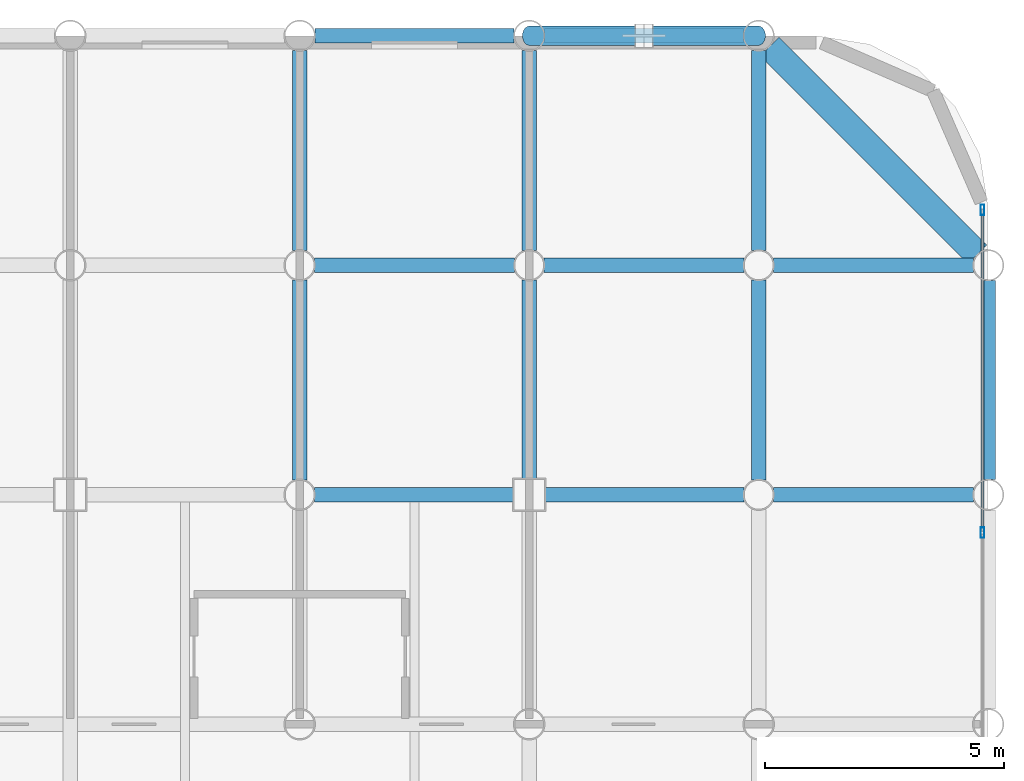
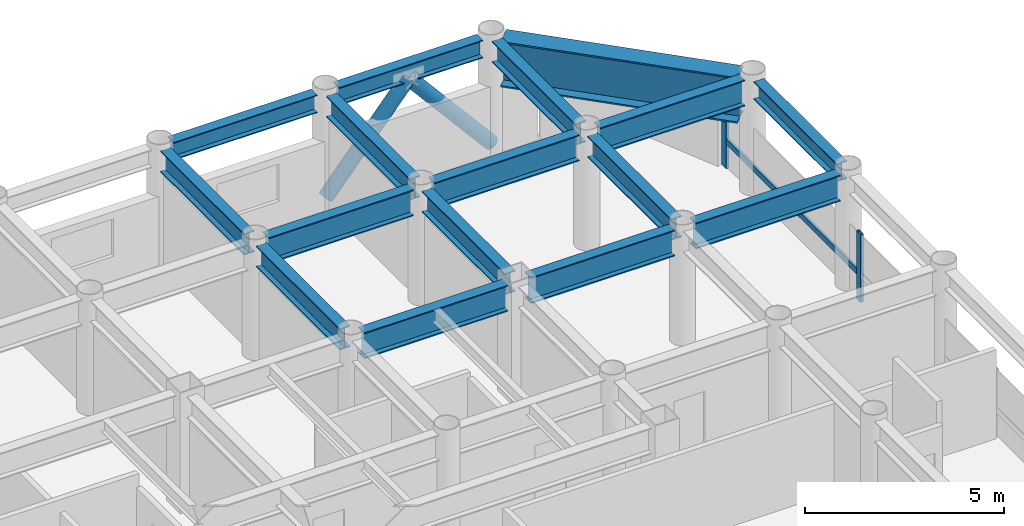
# One storey, part 15 of 22: 16 beams, 5 members, 1 element without a shape of its own.
"""IFC4 building model written with IfcOpenShell, lengths in metres."""

from ifc_helpers import new_model, si_unit, direction, frame, origin, origin_2d, place, context, subcontext, project, spatial, hollow_rectangle, hollow_circle, i_section, extrude, material, layer, layer_set, material_profile, profile_set, type_object, element, aggregate, save


model = new_model("IFC4")

# Units and contexts
model_context = context("Model", 3, precision=1e-05, world=origin(), true_north=direction((0.0, 1.0)))
body_context = subcontext(model_context, "Body", "Model", "MODEL_VIEW")
ifc_project = project(units=[si_unit("LENGTHUNIT", "METRE"), si_unit("AREAUNIT", "SQUARE_METRE"), si_unit("VOLUMEUNIT", "CUBIC_METRE"), si_unit("PLANEANGLEUNIT", "RADIAN"), si_unit("MASSUNIT", "GRAM", prefix="KILO")], contexts=[model_context])

# Site, building, storey
site_placement = place(None, origin())
site = spatial("IfcSite", under=ifc_project, at=site_placement, CompositionType="ELEMENT")
building_placement = place(site_placement, origin())
building = spatial("IfcBuilding", under=site, at=building_placement, Name="Kallvorn Hotel Tower", CompositionType="ELEMENT")
storey_placement = place(building_placement, frame((0.0, 0.0, 117.39990234375)))
storey = spatial("IfcBuildingStorey", under=building, at=storey_placement, Name="L28", CompositionType="ELEMENT", Elevation=117.39990234375)

# Beams
ifc_material_1 = material(Name="Structural steel S355JR", Category="steel")
ifc_material_profile_1 = material_profile(ifc_material_1, i_section(OverallWidth=0.300048828125, OverallDepth=0.550048828125, WebThickness=0.014892578125, FlangeThickness=0.029052734375, at=origin_2d()), Name="HE 550 B")
ifc_profile_set_1 = profile_set([ifc_material_profile_1], Name="Structural steel S355JR")
beam_type_1 = type_object("IfcBeamType", Name="BM_HE550B", PredefinedType="SPANDREL", material=ifc_profile_set_1)
for number, where, z_axis, x_axis, name in (
    (1, (19.52001953125, 24.0, 3.2451171875), (1.0, 0.0, 0.0), (0.0, 1.0, 0.0), "L29 Perimeter Spandrel 172"),
    (2, (24.320068359375, 24.0, 3.2451171875), (1.0, 0.0, 0.0), (0.0, 1.0, 0.0), "L29 Perimeter Spandrel 173"),
    (3, (33.60009765625, 14.719970703125, 3.2451171875), (0.0, 1.0, 0.0), (-1.0, 0.0, 0.0), "L29 Perimeter Spandrel 188"),
):
    element("IfcBeam", number, at=place(storey_placement, frame(where, z_axis=z_axis, x_axis=x_axis)), inside=storey, type_object=beam_type_1, Name=name, PredefinedType="SPANDREL", context=body_context, shape_type="SweptSolid", body=[
        extrude(i_section(OverallWidth=0.300048828125, OverallDepth=0.550048828125, WebThickness=0.014892578125, FlangeThickness=0.029052734375, at=origin_2d()), origin(), (0.0, 0.0, 1.0), 4.159912109375),
    ])
ifc_material_2 = material(Name="Structural steel S355JR", Category="steel")
ifc_material_profile_2 = material_profile(ifc_material_2, i_section(OverallWidth=0.300048828125, OverallDepth=0.64990234375, WebThickness=0.01611328125, FlangeThickness=0.031005859375, at=origin_2d()), Name="HE 650 B")
ifc_profile_set_2 = profile_set([ifc_material_profile_2], Name="Structural steel S355JR")
beam_type_2 = type_object("IfcBeamType", Name="BM_HE650B", PredefinedType="BEAM", material=ifc_profile_set_2)
beam_1_placement = place(storey_placement, frame((19.199951171875, 14.705078125, 3.195068359375), z_axis=(0.0, 1.0, 0.0), x_axis=(-1.0, 0.0, 0.0)))
element("IfcBeam", 4, at=beam_1_placement, inside=storey, type_object=beam_type_2, Name="L29 Primary Y-Girder 133", PredefinedType="BEAM", context=body_context, shape_type="SweptSolid", body=[
    extrude(i_section(OverallWidth=0.300048828125, OverallDepth=0.64990234375, WebThickness=0.01611328125, FlangeThickness=0.031005859375, at=origin_2d()), origin(), (0.0, 0.0, 1.0), 4.18994140625),
])
beam_2_placement = place(storey_placement, frame((19.199951171875, 19.5048828125, 3.195068359375), z_axis=(0.0, 1.0, 0.0), x_axis=(-1.0, 0.0, 0.0)))
element("IfcBeam", 5, at=beam_2_placement, inside=storey, type_object=beam_type_2, Name="L29 Primary Y-Girder 134", PredefinedType="BEAM", context=body_context, shape_type="SweptSolid", body=[
    extrude(i_section(OverallWidth=0.300048828125, OverallDepth=0.64990234375, WebThickness=0.01611328125, FlangeThickness=0.031005859375, at=origin_2d()), origin(), (0.0, 0.0, 1.0), 4.190185546875),
])
beam_3_placement = place(storey_placement, frame((24.0, 14.72509765625, 3.195068359375), z_axis=(0.0, 1.0, 0.0), x_axis=(-1.0, 0.0, 0.0)))
element("IfcBeam", 6, at=beam_3_placement, inside=storey, type_object=beam_type_2, Name="L29 Primary Y-Girder 140", PredefinedType="BEAM", context=body_context, shape_type="SweptSolid", body=[
    extrude(i_section(OverallWidth=0.300048828125, OverallDepth=0.64990234375, WebThickness=0.01611328125, FlangeThickness=0.031005859375, at=origin_2d()), origin(), (0.0, 0.0, 1.0), 4.169921875),
])
beam_4_placement = place(storey_placement, frame((24.0, 19.5048828125, 3.195068359375), z_axis=(0.0, 1.0, 0.0), x_axis=(-1.0, 0.0, 0.0)))
element("IfcBeam", 7, at=beam_4_placement, inside=storey, type_object=beam_type_2, Name="L29 Primary Y-Girder 141", PredefinedType="BEAM", context=body_context, shape_type="SweptSolid", body=[
    extrude(i_section(OverallWidth=0.300048828125, OverallDepth=0.64990234375, WebThickness=0.01611328125, FlangeThickness=0.031005859375, at=origin_2d()), origin(), (0.0, 0.0, 1.0), 4.190185546875),
])
beam_5_placement = place(storey_placement, frame((28.800048828125, 14.705078125, 3.195068359375), z_axis=(0.0, 1.0, 0.0), x_axis=(-1.0, 0.0, 0.0)))
element("IfcBeam", 8, at=beam_5_placement, inside=storey, type_object=beam_type_2, Name="L29 Primary Y-Girder 149", PredefinedType="BEAM", context=body_context, shape_type="SweptSolid", body=[
    extrude(i_section(OverallWidth=0.300048828125, OverallDepth=0.64990234375, WebThickness=0.01611328125, FlangeThickness=0.031005859375, at=origin_2d()), origin(), (0.0, 0.0, 1.0), 4.18994140625),
])
beam_6_placement = place(storey_placement, frame((28.800048828125, 19.5048828125, 3.195068359375), z_axis=(0.0, 1.0, 0.0), x_axis=(-1.0, 0.0, 0.0)))
element("IfcBeam", 9, at=beam_6_placement, inside=storey, type_object=beam_type_2, Name="L29 Primary Y-Girder 150", PredefinedType="BEAM", context=body_context, shape_type="SweptSolid", body=[
    extrude(i_section(OverallWidth=0.300048828125, OverallDepth=0.64990234375, WebThickness=0.01611328125, FlangeThickness=0.031005859375, at=origin_2d()), origin(), (0.0, 0.0, 1.0), 4.190185546875),
])
ifc_material_3 = material(Name="Structural steel S355JR", Category="steel")
ifc_material_profile_3 = material_profile(ifc_material_3, i_section(OverallWidth=0.300048828125, OverallDepth=0.800048828125, WebThickness=0.017578125, FlangeThickness=0.032958984375, at=origin_2d()), Name="HE 800 B")
ifc_profile_set_3 = profile_set([ifc_material_profile_3], Name="Structural steel S355JR")
beam_type_3 = type_object("IfcBeamType", Name="BM_HE800B", PredefinedType="BEAM", material=ifc_profile_set_3)
for number, where, z_axis, x_axis, name in (
    (10, (19.5048828125, 14.39990234375, 3.1201171875), (1.0, 0.0, 0.0), (0.0, 1.0, 0.0), "L29 Primary X-Girder 57"),
    (11, (24.324951171875, 14.39990234375, 3.1201171875), (1.0, 0.0, 0.0), (0.0, 1.0, 0.0), "L29 Primary X-Girder 58"),
):
    element("IfcBeam", number, at=place(storey_placement, frame(where, z_axis=z_axis, x_axis=x_axis)), inside=storey, type_object=beam_type_3, Name=name, PredefinedType="BEAM", context=body_context, shape_type="SweptSolid", body=[
        extrude(i_section(OverallWidth=0.300048828125, OverallDepth=0.800048828125, WebThickness=0.017578125, FlangeThickness=0.032958984375, at=origin_2d()), origin(), (0.0, 0.0, 1.0), 4.170166015625),
    ])
beam_7_placement = place(storey_placement, frame((29.10498046875, 14.39990234375, 3.1201171875), z_axis=(1.0, 0.0, 0.0), x_axis=(0.0, 1.0, 0.0)))
element("IfcBeam", 12, at=beam_7_placement, inside=storey, type_object=beam_type_3, Name="L29 Primary X-Girder 59", PredefinedType="BEAM", context=body_context, shape_type="SweptSolid", body=[
    extrude(i_section(OverallWidth=0.300048828125, OverallDepth=0.800048828125, WebThickness=0.017578125, FlangeThickness=0.032958984375, at=origin_2d()), origin(), (0.0, 0.0, 1.0), 4.18994140625),
])
for number, where, z_axis, x_axis, name in (
    (13, (19.5048828125, 19.199951171875, 3.1201171875), (1.0, 0.0, 0.0), (0.0, 1.0, 0.0), "L29 Primary X-Girder 70"),
    (14, (24.304931640625, 19.199951171875, 3.1201171875), (1.0, 0.0, 0.0), (0.0, 1.0, 0.0), "L29 Primary X-Girder 71"),
):
    element("IfcBeam", number, at=place(storey_placement, frame(where, z_axis=z_axis, x_axis=x_axis)), inside=storey, type_object=beam_type_3, Name=name, PredefinedType="BEAM", context=body_context, shape_type="SweptSolid", body=[
        extrude(i_section(OverallWidth=0.300048828125, OverallDepth=0.800048828125, WebThickness=0.017578125, FlangeThickness=0.032958984375, at=origin_2d()), origin(), (0.0, 0.0, 1.0), 4.190185546875),
    ])
beam_8_placement = place(storey_placement, frame((29.10498046875, 19.199951171875, 3.1201171875), z_axis=(1.0, 0.0, 0.0), x_axis=(0.0, 1.0, 0.0)))
element("IfcBeam", 15, at=beam_8_placement, inside=storey, type_object=beam_type_3, Name="L29 Primary X-Girder 72", PredefinedType="BEAM", context=body_context, shape_type="SweptSolid", body=[
    extrude(i_section(OverallWidth=0.300048828125, OverallDepth=0.800048828125, WebThickness=0.017578125, FlangeThickness=0.032958984375, at=origin_2d()), origin(), (0.0, 0.0, 1.0), 4.18994140625),
])
ifc_material_4 = material(Name="Structural steel S355JR", Category="steel")
ifc_material_profile_4 = material_profile(ifc_material_4, i_section(OverallWidth=0.550048828125, OverallDepth=1.39990234375, WebThickness=0.02490234375, FlangeThickness=0.044921875, at=origin_2d()), Name="PG 1400x550x25x45")
ifc_profile_set_4 = profile_set([ifc_material_profile_4], Name="Structural steel S355JR")
beam_type_4 = type_object("IfcBeamType", Name="BM_PG_1400", PredefinedType="BEAM", material=ifc_profile_set_4)
beam_9_placement = place(storey_placement, frame((33.373779296875, 19.42626953125, 2.820068359375), z_axis=(-0.707106781187, 0.707106781187, 0.0), x_axis=(-0.707106781187, -0.707106781187, 0.0)))
element("IfcBeam", 16, at=beam_9_placement, inside=storey, type_object=beam_type_4, Name="L29 Rounded Corner Tie Beam 191", PredefinedType="BEAM", context=body_context, shape_type="SweptSolid", body=[
    extrude(i_section(OverallWidth=0.550048828125, OverallDepth=1.39990234375, WebThickness=0.02490234375, FlangeThickness=0.044921875, at=origin_2d()), origin(), (0.0, 0.0, 1.0), 6.148193359375),
])

# Curtain wall, members
ifc_material_5 = material(Name="Thermally broken black-anodised aluminium AA 6063-T6", Category="aluminium")
ifc_layer = layer(ifc_material_5, 0.199951171875)
ifc_layer_set = layer_set([ifc_layer], Name="CW_SYS_3_HOTEL_LOW")
curtain_wall_type = type_object("IfcCurtainWallType", Name="CW_SYS_3_HOTEL_LOW", PredefinedType="USERDEFINED", material=ifc_layer_set)
curtain_wall_placement = place(storey_placement, origin())
curtain_wall = element("IfcCurtainWall", 17, at=curtain_wall_placement, inside=storey, type_object=curtain_wall_type, Name="L28 Dark-Glass Curtain Wall CW-L28-EN", ObjectType="UNITISED CURTAIN WALL", PredefinedType="USERDEFINED")
ifc_material_6 = material(Name="Thermally broken black-anodised aluminium AA 6063-T6", Category="aluminium")
ifc_material_profile_5 = material_profile(ifc_material_6, hollow_rectangle(XDim=0.080078125, YDim=0.219970703125, WallThickness=0.0048828125, at=origin_2d()), Name="MUL 220x80")
ifc_profile_set_5 = profile_set([ifc_material_profile_5], Name="Thermally broken black-anodised aluminium AA 6063-T6")
member_type_1 = type_object("IfcMemberType", Name="CW_MULLION_220x80", PredefinedType="MULLION", material=ifc_profile_set_5)
member_1_placement = place(storey_placement, frame((33.47998046875, 13.606689453125, 0.02001953125), z_axis=(0.0, 0.0, 1.0), x_axis=(1.0, 0.0, 0.0)))
member_1 = element("IfcMember", 18, at=member_1_placement, type_object=member_type_1, Name="CW-L28-EN Mullion 02", PredefinedType="MULLION", context=body_context, shape_type="SweptSolid", body=[
    extrude(hollow_rectangle(XDim=0.080078125, YDim=0.219970703125, WallThickness=0.0048828125, at=origin_2d()), origin(), (0.0, 0.0, 1.0), 2.080078125),
])
member_2_placement = place(storey_placement, frame((33.47998046875, 20.360107421875, 0.02001953125), z_axis=(0.0, 0.0, 1.0), x_axis=(1.0, 0.0, 0.0)))
member_2 = element("IfcMember", 19, at=member_2_placement, type_object=member_type_1, Name="CW-L28-EN Mullion 03", PredefinedType="MULLION", context=body_context, shape_type="SweptSolid", body=[
    extrude(hollow_rectangle(XDim=0.080078125, YDim=0.219970703125, WallThickness=0.0048828125, at=origin_2d()), origin(), (0.0, 0.0, 1.0), 2.080078125),
])
ifc_material_7 = material(Name="Thermally broken black-anodised aluminium AA 6063-T6", Category="aluminium")
ifc_material_profile_6 = material_profile(ifc_material_7, hollow_rectangle(XDim=0.070068359375, YDim=0.179931640625, WallThickness=0.00390625, at=origin_2d()), Name="TRN 180x70")
ifc_profile_set_6 = profile_set([ifc_material_profile_6], Name="Thermally broken black-anodised aluminium AA 6063-T6")
member_type_2 = type_object("IfcMemberType", Name="CW_TRANSOM_180x70", PredefinedType="USERDEFINED", material=ifc_profile_set_6)
member_3_placement = place(storey_placement, frame((33.47998046875, 13.646728515625, 0.85009765625), z_axis=(0.0, 1.0, 0.0), x_axis=(-1.0, 0.0, 0.0)))
member_3 = element("IfcMember", 20, at=member_3_placement, type_object=member_type_2, Name="CW-L28-EN Transom 02M", ObjectType="TRANSOM", PredefinedType="USERDEFINED", context=body_context, shape_type="SweptSolid", body=[
    extrude(hollow_rectangle(XDim=0.070068359375, YDim=0.179931640625, WallThickness=0.00390625, at=origin_2d()), origin(), (0.0, 0.0, 1.0), 6.71337890625),
])
aggregate(curtain_wall, [member_1, member_2, member_3])

# Members
ifc_material_8 = material(Name="Structural steel S355J2H", Category="steel")
ifc_material_profile_7 = material_profile(ifc_material_8, hollow_circle(Radius=0.203125, WallThickness=0.01611328125, at=origin_2d()), Name="CHS 406.4x16")
ifc_profile_set_7 = profile_set([ifc_material_profile_7], Name="Structural steel S355J2H")
member_type_3 = type_object("IfcMemberType", Name="MBR_EXO_CHS406", PredefinedType="BRACE", material=ifc_profile_set_7)
for number, where, z_axis, x_axis, name in (
    (21, (24.012939453125, 24.0, 0.1953125), (0.646800487591, 0.0, 0.762659248453), (0.0, 1.0, 0.0), "L28 Exoskeleton K-Brace N2A"),
    (22, (28.787109375, 24.0, 0.1953125), (-0.646800487591, 0.0, 0.762659248453), (0.0, -1.0, 0.0), "L28 Exoskeleton K-Brace N2B"),
):
    element("IfcMember", number, at=place(storey_placement, frame(where, z_axis=z_axis, x_axis=x_axis)), inside=storey, type_object=member_type_3, Name=name, PredefinedType="BRACE", context=body_context, shape_type="SweptSolid", body=[
        extrude(hollow_circle(Radius=0.203125, WallThickness=0.01611328125, at=origin_2d()), origin(), (0.0, 0.0, 1.0), 3.6708984375),
    ])

save(model, "model.ifc")
